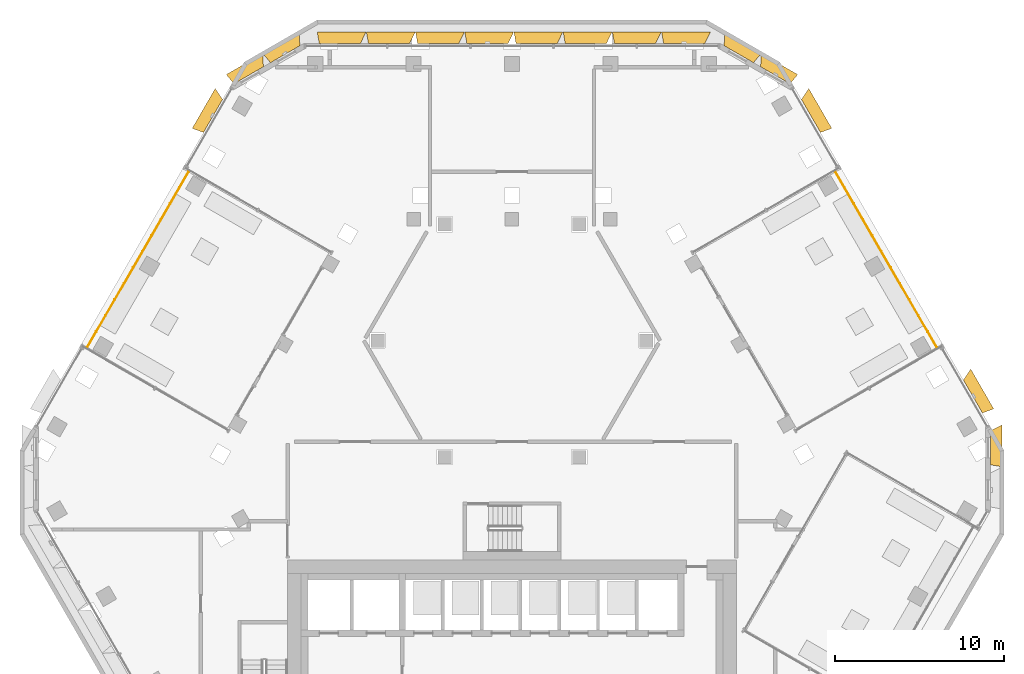
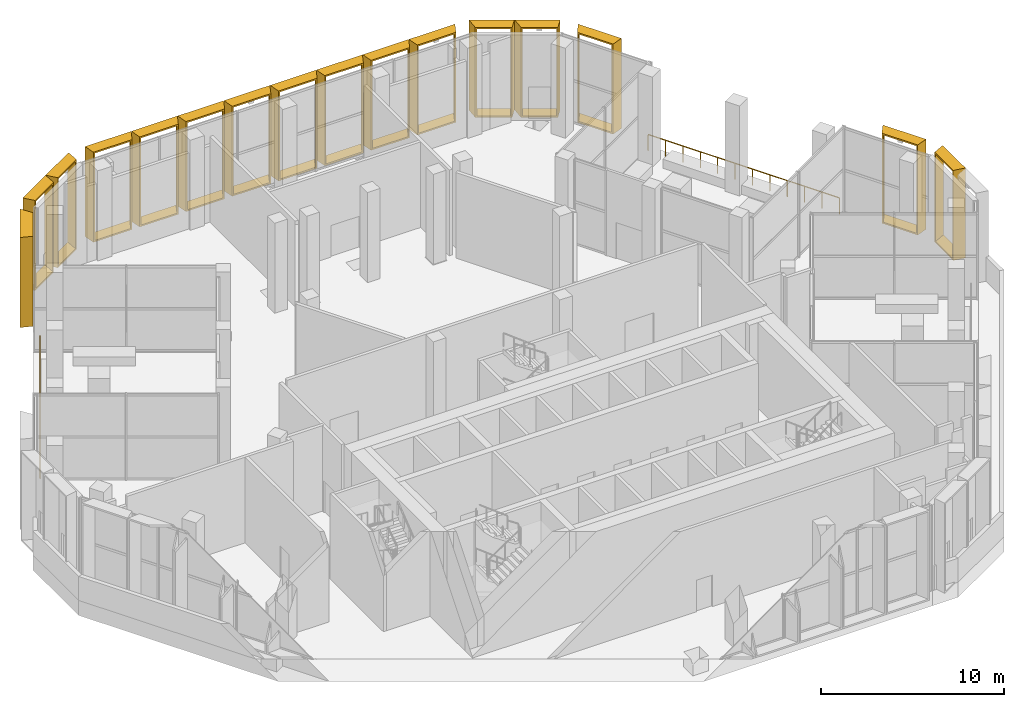
# One storey, part 25 of 27: 16 shading devices, 2 railings.
"""IFC4 building model written with IfcOpenShell, lengths in metres."""

from ifc_helpers import new_model, entity, si_unit, direction, frame, origin, origin_2d, place, context, subcontext, project, spatial, rectangle, extrude, source, transform, mapped, material, type_object, type_shapes, element, save


model = new_model("IFC4")

# Units and contexts
model_context = context("Model", 3, precision=1e-05, world=origin(), true_north=direction((0.0, 1.0)))
body_context = subcontext(model_context, "Body", "Model", "MODEL_VIEW")
ifc_project = project(units=[si_unit("LENGTHUNIT", "METRE"), si_unit("AREAUNIT", "SQUARE_METRE"), si_unit("VOLUMEUNIT", "CUBIC_METRE"), si_unit("PLANEANGLEUNIT", "RADIAN"), si_unit("MASSUNIT", "GRAM", prefix="KILO")], contexts=[model_context])

# Site, building, storey
site_placement = place(None, origin())
site = spatial("IfcSite", under=ifc_project, at=site_placement, CompositionType="ELEMENT")
building_placement = place(site_placement, origin())
building = spatial("IfcBuilding", under=site, at=building_placement, Name="Beryl Residences", CompositionType="ELEMENT")
storey_placement = place(building_placement, frame((0.0, 0.0, 111.60009765625)))
storey = spatial("IfcBuildingStorey", under=building, at=storey_placement, Name="L34", CompositionType="ELEMENT", Elevation=111.60009765625)

# Shading devices
ifc_material_1 = material(Name="Aluminium pale anodised", Category="aluminium")
shading_device_type_1 = type_object("IfcShadingDeviceType", Name="FR250-70B-H60 OUTER SKIN frame 700 mm deep, splay 26/10 deg, 2500 x 6000 mm cell", PredefinedType="USERDEFINED", material=ifc_material_1)
cartesian_point_1 = entity("IfcCartesianPoint", [-1.007568359375, 0.0])
cartesian_point_2 = entity("IfcCartesianPoint", [-0.91845703125, 0.10009765625])
cartesian_point_3 = entity("IfcCartesianPoint", [-1.348876953125, 0.0])
cartesian_point_4 = entity("IfcCartesianPoint", [-1.260009765625, 0.10009765625])
shared_shape_1 = source(origin(), body_context, "Body", "SweptSolid", [
    entity("IfcExtrudedAreaSolidTapered", entity("IfcArbitraryProfileDefWithVoids", "AREA", None, entity("IfcPolyline", [cartesian_point_1, entity("IfcCartesianPoint", [1.007568359375, 0.0]), entity("IfcCartesianPoint", [1.007568359375, 6.0]), entity("IfcCartesianPoint", [-1.007568359375, 6.0]), cartesian_point_1]), [entity("IfcPolyline", [cartesian_point_2, entity("IfcCartesianPoint", [0.92626953125, 0.10009765625]), entity("IfcCartesianPoint", [0.92626953125, 5.89990234375]), entity("IfcCartesianPoint", [-0.91845703125, 5.89990234375]), cartesian_point_2])]), entity("IfcAxis2Placement3D", entity("IfcCartesianPoint", [0.0, 0.0, 0.0]), entity("IfcDirection", [0.0, 1.0, 0.0]), entity("IfcDirection", [-1.0, 0.0, 0.0])), entity("IfcDirection", [0.0, 0.0, 1.0]), 0.699951171875, entity("IfcArbitraryProfileDefWithVoids", "AREA", None, entity("IfcPolyline", [cartesian_point_3, entity("IfcCartesianPoint", [1.130859375, 0.0]), entity("IfcCartesianPoint", [1.130859375, 6.0]), entity("IfcCartesianPoint", [-1.348876953125, 6.0]), cartesian_point_3]), [entity("IfcPolyline", [cartesian_point_4, entity("IfcCartesianPoint", [1.0498046875, 0.10009765625]), entity("IfcCartesianPoint", [1.0498046875, 5.89990234375]), entity("IfcCartesianPoint", [-1.260009765625, 5.89990234375]), cartesian_point_4])])),
])
type_shapes(shading_device_type_1, [shared_shape_1])
for number, where, z_axis, x_axis, name in (
    (1, (-13.43798828125, 24.97509765625, 0.0), (0.0, 0.0, 1.0), (0.866025403784, 0.5, 0.0), "FR250-70B-H60 frame L34 N-NW 1"),
    (2, (-15.60205078125, 23.72509765625, 0.0), (0.0, 0.0, 1.0), (0.866025403784, 0.5, 0.0), "FR250-70B-H60 frame L34 N-NW 2"),
):
    element("IfcShadingDevice", number, at=place(storey_placement, frame(where, z_axis=z_axis, x_axis=x_axis)), inside=storey, type_object=shading_device_type_1, Name=name, ObjectType="OUTER SKIN", PredefinedType="USERDEFINED", context=body_context, shape_type="MappedRepresentation", body=[
        mapped(shared_shape_1, transform((0.0, 0.0, 0.0))),
    ])
ifc_material_2 = material(Name="Aluminium pale anodised", Category="aluminium")
shading_device_type_2 = type_object("IfcShadingDeviceType", Name="FR250-70C-H60 OUTER SKIN frame 700 mm deep, splay 10/26 deg, 2500 x 6000 mm cell", PredefinedType="USERDEFINED", material=ifc_material_2)
cartesian_point_5 = entity("IfcCartesianPoint", [-1.007568359375, 0.0])
cartesian_point_6 = entity("IfcCartesianPoint", [-0.92626953125, 0.10009765625])
cartesian_point_7 = entity("IfcCartesianPoint", [-1.130859375, 0.0])
cartesian_point_8 = entity("IfcCartesianPoint", [-1.0498046875, 0.10009765625])
shared_shape_2 = source(origin(), body_context, "Body", "SweptSolid", [
    entity("IfcExtrudedAreaSolidTapered", entity("IfcArbitraryProfileDefWithVoids", "AREA", None, entity("IfcPolyline", [cartesian_point_5, entity("IfcCartesianPoint", [1.007568359375, 0.0]), entity("IfcCartesianPoint", [1.007568359375, 6.0]), entity("IfcCartesianPoint", [-1.007568359375, 6.0]), cartesian_point_5]), [entity("IfcPolyline", [cartesian_point_6, entity("IfcCartesianPoint", [0.91845703125, 0.10009765625]), entity("IfcCartesianPoint", [0.91845703125, 5.89990234375]), entity("IfcCartesianPoint", [-0.92626953125, 5.89990234375]), cartesian_point_6])]), entity("IfcAxis2Placement3D", entity("IfcCartesianPoint", [0.0, 0.0, 0.0]), entity("IfcDirection", [0.0, 1.0, 0.0]), entity("IfcDirection", [-1.0, 0.0, 0.0])), entity("IfcDirection", [0.0, 0.0, 1.0]), 0.699951171875, entity("IfcArbitraryProfileDefWithVoids", "AREA", None, entity("IfcPolyline", [cartesian_point_7, entity("IfcCartesianPoint", [1.348876953125, 0.0]), entity("IfcCartesianPoint", [1.348876953125, 6.0]), entity("IfcCartesianPoint", [-1.130859375, 6.0]), cartesian_point_7]), [entity("IfcPolyline", [cartesian_point_8, entity("IfcCartesianPoint", [1.260009765625, 0.10009765625]), entity("IfcCartesianPoint", [1.260009765625, 5.89990234375]), entity("IfcCartesianPoint", [-1.0498046875, 5.89990234375]), cartesian_point_8])])),
])
type_shapes(shading_device_type_2, [shared_shape_2])
for number, where, z_axis, x_axis, name in (
    (3, (28.347900390625, 1.64990234375, 0.0), (0.0, 0.0, 1.0), (0.0, -1.0, 0.0), "FR250-70C-H60 frame L34 SE-NE 2"),
    (4, (15.60205078125, 23.72509765625, 0.0), (0.0, 0.0, 1.0), (0.866025403784, -0.5, 0.0), "FR250-70C-H60 frame L34 NE-N 1"),
    (5, (13.43798828125, 24.97509765625, 0.0), (0.0, 0.0, 1.0), (0.866025403784, -0.5, 0.0), "FR250-70C-H60 frame L34 NE-N 2"),
):
    element("IfcShadingDevice", number, at=place(storey_placement, frame(where, z_axis=z_axis, x_axis=x_axis)), inside=storey, type_object=shading_device_type_2, Name=name, ObjectType="OUTER SKIN", PredefinedType="USERDEFINED", context=body_context, shape_type="MappedRepresentation", body=[
        mapped(shared_shape_2, transform((0.0, 0.0, 0.0))),
    ])
ifc_material_3 = material(Name="Aluminium pale anodised", Category="aluminium")
shading_device_type_3 = type_object("IfcShadingDeviceType", Name="FR274-70B-H60 OUTER SKIN frame 700 mm deep, splay 26/10 deg, 2740 x 6000 mm cell", PredefinedType="USERDEFINED", material=ifc_material_3)
cartesian_point_9 = entity("IfcCartesianPoint", [-1.12744140625, 0.0])
cartesian_point_10 = entity("IfcCartesianPoint", [-1.03857421875, 0.10009765625])
cartesian_point_11 = entity("IfcCartesianPoint", [-1.468994140625, 0.0])
cartesian_point_12 = entity("IfcCartesianPoint", [-1.3798828125, 0.10009765625])
shared_shape_3 = source(origin(), body_context, "Body", "SweptSolid", [
    entity("IfcExtrudedAreaSolidTapered", entity("IfcArbitraryProfileDefWithVoids", "AREA", None, entity("IfcPolyline", [cartesian_point_9, entity("IfcCartesianPoint", [1.12744140625, 0.0]), entity("IfcCartesianPoint", [1.12744140625, 6.0]), entity("IfcCartesianPoint", [-1.12744140625, 6.0]), cartesian_point_9]), [entity("IfcPolyline", [cartesian_point_10, entity("IfcCartesianPoint", [1.04638671875, 0.10009765625]), entity("IfcCartesianPoint", [1.04638671875, 5.89990234375]), entity("IfcCartesianPoint", [-1.03857421875, 5.89990234375]), cartesian_point_10])]), entity("IfcAxis2Placement3D", entity("IfcCartesianPoint", [0.0, 0.0, 0.0]), entity("IfcDirection", [0.0, 1.0, 0.0]), entity("IfcDirection", [-1.0, 0.0, 0.0])), entity("IfcDirection", [0.0, 0.0, 1.0]), 0.699951171875, entity("IfcArbitraryProfileDefWithVoids", "AREA", None, entity("IfcPolyline", [cartesian_point_11, entity("IfcCartesianPoint", [1.2509765625, 0.0]), entity("IfcCartesianPoint", [1.2509765625, 6.0]), entity("IfcCartesianPoint", [-1.468994140625, 6.0]), cartesian_point_11]), [entity("IfcPolyline", [cartesian_point_12, entity("IfcCartesianPoint", [1.169677734375, 0.10009765625]), entity("IfcCartesianPoint", [1.169677734375, 5.89990234375]), entity("IfcCartesianPoint", [-1.3798828125, 5.89990234375]), cartesian_point_12])])),
])
type_shapes(shading_device_type_3, [shared_shape_3])
shading_device_placement = place(storey_placement, frame((-17.718017578125, 21.31298828125, 0.0), z_axis=(0.0, 0.0, 1.0), x_axis=(0.5, 0.866025403784, 0.0)))
element("IfcShadingDevice", 6, at=shading_device_placement, inside=storey, type_object=shading_device_type_3, Name="FR274-70B-H60 frame L34 NW 1", ObjectType="OUTER SKIN", PredefinedType="USERDEFINED", context=body_context, shape_type="MappedRepresentation", body=[
    mapped(shared_shape_3, transform((0.0, 0.0, 0.0))),
])
ifc_material_4 = material(Name="Aluminium pale anodised", Category="aluminium")
shading_device_type_4 = type_object("IfcShadingDeviceType", Name="FR274-70C-H60 OUTER SKIN frame 700 mm deep, splay 10/26 deg, 2740 x 6000 mm cell", PredefinedType="USERDEFINED", material=ifc_material_4)
cartesian_point_13 = entity("IfcCartesianPoint", [-1.12744140625, 0.0])
cartesian_point_14 = entity("IfcCartesianPoint", [-1.04638671875, 0.10009765625])
cartesian_point_15 = entity("IfcCartesianPoint", [-1.2509765625, 0.0])
cartesian_point_16 = entity("IfcCartesianPoint", [-1.169677734375, 0.10009765625])
shared_shape_4 = source(origin(), body_context, "Body", "SweptSolid", [
    entity("IfcExtrudedAreaSolidTapered", entity("IfcArbitraryProfileDefWithVoids", "AREA", None, entity("IfcPolyline", [cartesian_point_13, entity("IfcCartesianPoint", [1.12744140625, 0.0]), entity("IfcCartesianPoint", [1.12744140625, 6.0]), entity("IfcCartesianPoint", [-1.12744140625, 6.0]), cartesian_point_13]), [entity("IfcPolyline", [cartesian_point_14, entity("IfcCartesianPoint", [1.03857421875, 0.10009765625]), entity("IfcCartesianPoint", [1.03857421875, 5.89990234375]), entity("IfcCartesianPoint", [-1.04638671875, 5.89990234375]), cartesian_point_14])]), entity("IfcAxis2Placement3D", entity("IfcCartesianPoint", [0.0, 0.0, 0.0]), entity("IfcDirection", [0.0, 1.0, 0.0]), entity("IfcDirection", [-1.0, 0.0, 0.0])), entity("IfcDirection", [0.0, 0.0, 1.0]), 0.699951171875, entity("IfcArbitraryProfileDefWithVoids", "AREA", None, entity("IfcPolyline", [cartesian_point_15, entity("IfcCartesianPoint", [1.468994140625, 0.0]), entity("IfcCartesianPoint", [1.468994140625, 6.0]), entity("IfcCartesianPoint", [-1.2509765625, 6.0]), cartesian_point_15]), [entity("IfcPolyline", [cartesian_point_16, entity("IfcCartesianPoint", [1.3798828125, 0.10009765625]), entity("IfcCartesianPoint", [1.3798828125, 5.89990234375]), entity("IfcCartesianPoint", [-1.169677734375, 5.89990234375]), cartesian_point_16])])),
])
type_shapes(shading_device_type_4, [shared_shape_4])
for number, where, z_axis, x_axis, name in (
    (7, (27.31591796875, 4.68701171875, 0.0), (0.0, 0.0, 1.0), (0.5, -0.866025403784, 0.0), "FR274-70C-H60 frame L34 NE 1"),
    (8, (17.718017578125, 21.31298828125, 0.0), (0.0, 0.0, 1.0), (0.5, -0.866025403784, 0.0), "FR274-70C-H60 frame L34 NE 8"),
):
    element("IfcShadingDevice", number, at=place(storey_placement, frame(where, z_axis=z_axis, x_axis=x_axis)), inside=storey, type_object=shading_device_type_4, Name=name, ObjectType="OUTER SKIN", PredefinedType="USERDEFINED", context=body_context, shape_type="MappedRepresentation", body=[
        mapped(shared_shape_4, transform((0.0, 0.0, 0.0))),
    ])
ifc_material_5 = material(Name="Aluminium pale anodised", Category="aluminium")
shading_device_type_5 = type_object("IfcShadingDeviceType", Name="FR292-70B-H60 OUTER SKIN frame 700 mm deep, splay 26/10 deg, 2920 x 6000 mm cell", PredefinedType="USERDEFINED", material=ifc_material_5)
cartesian_point_17 = entity("IfcCartesianPoint", [-1.217529296875, 0.0])
cartesian_point_18 = entity("IfcCartesianPoint", [-1.12841796875, 0.10009765625])
cartesian_point_19 = entity("IfcCartesianPoint", [-1.558837890625, 0.0])
cartesian_point_20 = entity("IfcCartesianPoint", [-1.469970703125, 0.10009765625])
shared_shape_5 = source(origin(), body_context, "Body", "SweptSolid", [
    entity("IfcExtrudedAreaSolidTapered", entity("IfcArbitraryProfileDefWithVoids", "AREA", None, entity("IfcPolyline", [cartesian_point_17, entity("IfcCartesianPoint", [1.217529296875, 0.0]), entity("IfcCartesianPoint", [1.217529296875, 6.0]), entity("IfcCartesianPoint", [-1.217529296875, 6.0]), cartesian_point_17]), [entity("IfcPolyline", [cartesian_point_18, entity("IfcCartesianPoint", [1.13623046875, 0.10009765625]), entity("IfcCartesianPoint", [1.13623046875, 5.89990234375]), entity("IfcCartesianPoint", [-1.12841796875, 5.89990234375]), cartesian_point_18])]), entity("IfcAxis2Placement3D", entity("IfcCartesianPoint", [0.0, 0.0, 0.0]), entity("IfcDirection", [0.0, 1.0, 0.0]), entity("IfcDirection", [-1.0, 0.0, 0.0])), entity("IfcDirection", [0.0, 0.0, 1.0]), 0.699951171875, entity("IfcArbitraryProfileDefWithVoids", "AREA", None, entity("IfcPolyline", [cartesian_point_19, entity("IfcCartesianPoint", [1.3408203125, 0.0]), entity("IfcCartesianPoint", [1.3408203125, 6.0]), entity("IfcCartesianPoint", [-1.558837890625, 6.0]), cartesian_point_19]), [entity("IfcPolyline", [cartesian_point_20, entity("IfcCartesianPoint", [1.259765625, 0.10009765625]), entity("IfcCartesianPoint", [1.259765625, 5.89990234375]), entity("IfcCartesianPoint", [-1.469970703125, 5.89990234375]), cartesian_point_20])])),
])
type_shapes(shading_device_type_5, [shared_shape_5])
for number, where, z_axis, x_axis, name in (
    (9, (10.2041015625, 25.60009765625, 0.0), (0.0, 0.0, 1.0), (1.0, 0.0, 0.0), "FR292-70B-H60 frame L34 N 1"),
    (10, (7.2890625, 25.60009765625, 0.0), (0.0, 0.0, 1.0), (1.0, 0.0, 0.0), "FR292-70B-H60 frame L34 N 2"),
    (11, (4.373046875, 25.60009765625, 0.0), (0.0, 0.0, 1.0), (1.0, 0.0, 0.0), "FR292-70B-H60 frame L34 N 3"),
    (12, (1.4580078125, 25.60009765625, 0.0), (0.0, 0.0, 1.0), (1.0, 0.0, 0.0), "FR292-70B-H60 frame L34 N 4"),
    (13, (-1.4580078125, 25.60009765625, 0.0), (0.0, 0.0, 1.0), (1.0, 0.0, 0.0), "FR292-70B-H60 frame L34 N 5"),
    (14, (-4.373046875, 25.60009765625, 0.0), (0.0, 0.0, 1.0), (1.0, 0.0, 0.0), "FR292-70B-H60 frame L34 N 6"),
    (15, (-7.2890625, 25.60009765625, 0.0), (0.0, 0.0, 1.0), (1.0, 0.0, 0.0), "FR292-70B-H60 frame L34 N 7"),
    (16, (-10.2041015625, 25.60009765625, 0.0), (0.0, 0.0, 1.0), (1.0, 0.0, 0.0), "FR292-70B-H60 frame L34 N 8"),
):
    element("IfcShadingDevice", number, at=place(storey_placement, frame(where, z_axis=z_axis, x_axis=x_axis)), inside=storey, type_object=shading_device_type_5, Name=name, ObjectType="OUTER SKIN", PredefinedType="USERDEFINED", context=body_context, shape_type="MappedRepresentation", body=[
        mapped(shared_shape_5, transform((0.0, 0.0, 0.0))),
    ])

# Railings
ifc_material_6 = material(Name="Stainless steel and clear glass", Category="steel")
railing_type = type_object("IfcRailingType", Name="XG1 guard 1100 mm", PredefinedType="GUARDRAIL", material=ifc_material_6)
railing_1_placement = place(storey_placement, frame((-19.157958984375, 18.01806640625, 0.0)))
element("IfcRailing", 17, at=railing_1_placement, inside=storey, type_object=railing_type, Name="XG1 guard L34 NW garden edge", PredefinedType="GUARDRAIL", context=body_context, shape_type="SweptSolid", body=[
    extrude(rectangle(XDim=0.048095703125, YDim=0.048095703125, at=origin_2d()), frame((0.0, 0.0, 1.076171875), z_axis=(-0.499993700073, -0.866029041019, 0.0), x_axis=(0.866029041019, -0.499993700073, 0.0)), (0.0, 0.0, 1.0), 12.050537109375),
    extrude(rectangle(XDim=0.0419921875, YDim=0.0419921875, at=origin_2d()), origin(), (0.0, 0.0, 1.0), 1.052001953125),
    extrude(rectangle(XDim=0.0419921875, YDim=0.0419921875, at=origin_2d()), frame((-0.5478515625, -0.94873046875, 0.0)), (0.0, 0.0, 1.0), 1.052001953125),
    extrude(rectangle(XDim=0.0419921875, YDim=0.0419921875, at=origin_2d()), frame((-1.095458984375, -1.8974609375, 0.0)), (0.0, 0.0, 1.0), 1.052001953125),
    extrude(rectangle(XDim=0.0419921875, YDim=0.0419921875, at=origin_2d()), frame((-1.643310546875, -2.84619140625, 0.0)), (0.0, 0.0, 1.0), 1.052001953125),
    extrude(rectangle(XDim=0.0419921875, YDim=0.0419921875, at=origin_2d()), frame((-2.19091796875, -3.794921875, 0.0)), (0.0, 0.0, 1.0), 1.052001953125),
    extrude(rectangle(XDim=0.0419921875, YDim=0.0419921875, at=origin_2d()), frame((-2.73876953125, -4.74365234375, 0.0)), (0.0, 0.0, 1.0), 1.052001953125),
    extrude(rectangle(XDim=0.0419921875, YDim=0.0419921875, at=origin_2d()), frame((-3.286376953125, -5.6923828125, 0.0)), (0.0, 0.0, 1.0), 1.052001953125),
    extrude(rectangle(XDim=0.0419921875, YDim=0.0419921875, at=origin_2d()), frame((-3.834228515625, -6.64111328125, 0.0)), (0.0, 0.0, 1.0), 1.052001953125),
    extrude(rectangle(XDim=0.0419921875, YDim=0.0419921875, at=origin_2d()), frame((-4.3818359375, -7.58984375, 0.0)), (0.0, 0.0, 1.0), 1.052001953125),
    extrude(rectangle(XDim=0.0419921875, YDim=0.0419921875, at=origin_2d()), frame((-4.9296875, -8.53857421875, 0.0)), (0.0, 0.0, 1.0), 1.052001953125),
    extrude(rectangle(XDim=0.0419921875, YDim=0.0419921875, at=origin_2d()), frame((-5.477294921875, -9.4873046875, 0.0)), (0.0, 0.0, 1.0), 1.052001953125),
    extrude(rectangle(XDim=0.0419921875, YDim=0.0419921875, at=origin_2d()), frame((-6.025146484375, -10.43603515625, 0.0)), (0.0, 0.0, 1.0), 1.052001953125),
])
railing_2_placement = place(storey_placement, frame((25.18310546875, 7.58203125, 0.0)))
element("IfcRailing", 18, at=railing_2_placement, inside=storey, type_object=railing_type, Name="XG1 guard L34 NE garden edge", PredefinedType="GUARDRAIL", context=body_context, shape_type="SweptSolid", body=[
    extrude(rectangle(XDim=0.048095703125, YDim=0.048095703125, at=origin_2d()), frame((0.0, 0.0, 1.076171875), z_axis=(-0.499993700073, 0.866029041019, 0.0), x_axis=(-0.866029041019, -0.499993700073, 0.0)), (0.0, 0.0, 1.0), 12.050537109375),
    extrude(rectangle(XDim=0.0419921875, YDim=0.0419921875, at=origin_2d()), origin(), (0.0, 0.0, 1.0), 1.052001953125),
    extrude(rectangle(XDim=0.0419921875, YDim=0.0419921875, at=origin_2d()), frame((-0.5478515625, 0.94873046875, 0.0)), (0.0, 0.0, 1.0), 1.052001953125),
    extrude(rectangle(XDim=0.0419921875, YDim=0.0419921875, at=origin_2d()), frame((-1.095458984375, 1.8974609375, 0.0)), (0.0, 0.0, 1.0), 1.052001953125),
    extrude(rectangle(XDim=0.0419921875, YDim=0.0419921875, at=origin_2d()), frame((-1.643310546875, 2.84619140625, 0.0)), (0.0, 0.0, 1.0), 1.052001953125),
    extrude(rectangle(XDim=0.0419921875, YDim=0.0419921875, at=origin_2d()), frame((-2.19091796875, 3.794921875, 0.0)), (0.0, 0.0, 1.0), 1.052001953125),
    extrude(rectangle(XDim=0.0419921875, YDim=0.0419921875, at=origin_2d()), frame((-2.73876953125, 4.74365234375, 0.0)), (0.0, 0.0, 1.0), 1.052001953125),
    extrude(rectangle(XDim=0.0419921875, YDim=0.0419921875, at=origin_2d()), frame((-3.286376953125, 5.6923828125, 0.0)), (0.0, 0.0, 1.0), 1.052001953125),
    extrude(rectangle(XDim=0.0419921875, YDim=0.0419921875, at=origin_2d()), frame((-3.834228515625, 6.64111328125, 0.0)), (0.0, 0.0, 1.0), 1.052001953125),
    extrude(rectangle(XDim=0.0419921875, YDim=0.0419921875, at=origin_2d()), frame((-4.3818359375, 7.58984375, 0.0)), (0.0, 0.0, 1.0), 1.052001953125),
    extrude(rectangle(XDim=0.0419921875, YDim=0.0419921875, at=origin_2d()), frame((-4.9296875, 8.53857421875, 0.0)), (0.0, 0.0, 1.0), 1.052001953125),
    extrude(rectangle(XDim=0.0419921875, YDim=0.0419921875, at=origin_2d()), frame((-5.477294921875, 9.4873046875, 0.0)), (0.0, 0.0, 1.0), 1.052001953125),
    extrude(rectangle(XDim=0.0419921875, YDim=0.0419921875, at=origin_2d()), frame((-6.025146484375, 10.43603515625, 0.0)), (0.0, 0.0, 1.0), 1.052001953125),
])

save(model, "model.ifc")
